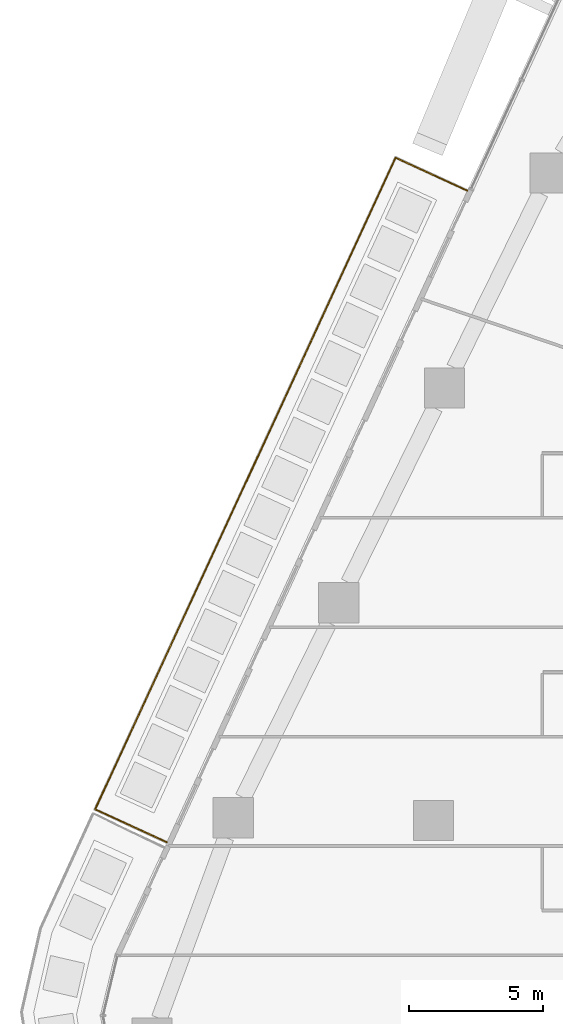
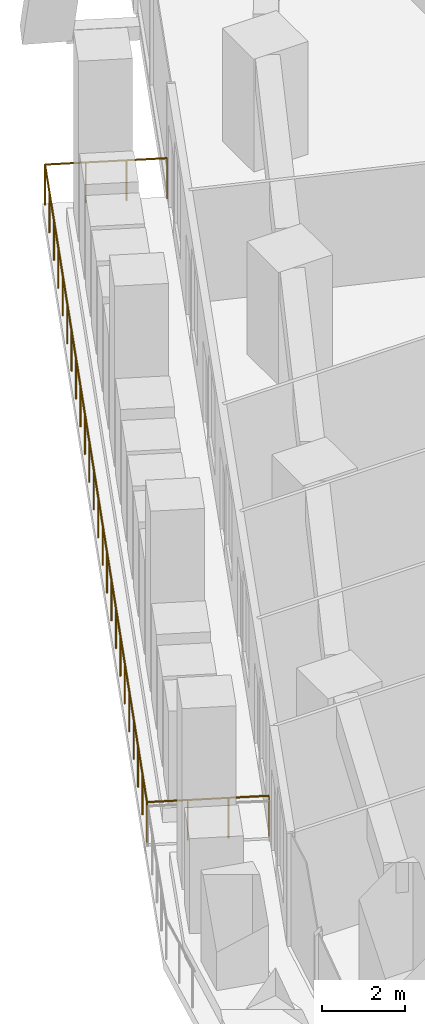
# One storey, part 25 of 27: 1 railing.
"""IFC4 building model written with IfcOpenShell, lengths in metres."""

from ifc_helpers import new_model, si_unit, direction, frame, origin, origin_2d, place, context, subcontext, project, spatial, circle, extrude, material, type_object, element, save


model = new_model("IFC4")

# Units and contexts
model_context = context("Model", 3, precision=1e-05, world=origin(), true_north=direction((0.0, 1.0)))
body_context = subcontext(model_context, "Body", "Model", "MODEL_VIEW")
ifc_project = project(units=[si_unit("LENGTHUNIT", "METRE"), si_unit("AREAUNIT", "SQUARE_METRE"), si_unit("VOLUMEUNIT", "CUBIC_METRE"), si_unit("PLANEANGLEUNIT", "RADIAN"), si_unit("MASSUNIT", "GRAM", prefix="KILO")], contexts=[model_context])

# Site, building, storey
site_placement = place(None, origin())
site = spatial("IfcSite", under=ifc_project, at=site_placement, CompositionType="ELEMENT")
building_placement = place(site_placement, origin())
building = spatial("IfcBuilding", under=site, at=building_placement, Name="Dongbaek Canopy Tower", CompositionType="ELEMENT")
storey_placement = place(building_placement, frame((0.0, 0.0, 62.5)))
storey = spatial("IfcBuildingStorey", under=building, at=storey_placement, Name="L11", CompositionType="ELEMENT", Elevation=62.5)

# Railing
ifc_material = material(Name="Stainless steel", Category="steel")
railing_type = type_object("IfcRailingType", Name="Balcony balustrade 1200", PredefinedType="BALUSTRADE", material=ifc_material)
railing_placement = place(storey_placement, frame((-25.738037109375, 23.466064453125, 0.0)))
element("IfcRailing", 1, at=railing_placement, inside=storey, type_object=railing_type, Name="Balcony guard L11 3", PredefinedType="BALUSTRADE", context=body_context, shape_type="SweptSolid", body=[
    extrude(circle(Radius=0.02392578125, at=origin_2d()), frame((0.0, 0.0, 1.17578125), z_axis=(-0.90805172008, 0.418858059084, 0.0), x_axis=(-0.418858059084, -0.90805172008, 0.0)), (0.0, 0.0, 1.0), 2.93994140625),
    extrude(circle(Radius=0.02392578125, at=origin_2d()), frame((-2.669677734375, 1.2314453125, 1.17578125), z_axis=(-0.418811507548, -0.908073191513, 0.0), x_axis=(0.908073191513, -0.418811507548, 0.0)), (0.0, 0.0, 1.0), 26.7392578125),
    extrude(circle(Radius=0.02392578125, at=origin_2d()), frame((-13.868408203125, -23.0498046875, 1.17578125), z_axis=(0.90805172008, -0.418858059084, 0.0), x_axis=(0.418858059084, 0.90805172008, 0.0)), (0.0, 0.0, 1.0), 2.93994140625),
    extrude(circle(Radius=0.02099609375, at=origin_2d()), origin(), (0.0, 0.0, 1.0), 1.15185546875),
    extrude(circle(Radius=0.02099609375, at=origin_2d()), frame((-0.889892578125, 0.410400390625, 0.0)), (0.0, 0.0, 1.0), 1.15185546875),
    extrude(circle(Radius=0.02099609375, at=origin_2d()), frame((-1.77978515625, 0.821044921875, 0.0)), (0.0, 0.0, 1.0), 1.15185546875),
    extrude(circle(Radius=0.02099609375, at=origin_2d()), frame((-2.669677734375, 1.2314453125, 0.0)), (0.0, 0.0, 1.0), 1.15185546875),
    extrude(circle(Radius=0.02099609375, at=origin_2d()), frame((-3.156494140625, 0.17578125, 0.0)), (0.0, 0.0, 1.0), 1.15185546875),
    extrude(circle(Radius=0.02099609375, at=origin_2d()), frame((-3.6435546875, -0.8798828125, 0.0)), (0.0, 0.0, 1.0), 1.15185546875),
    extrude(circle(Radius=0.02099609375, at=origin_2d()), frame((-4.13037109375, -1.935791015625, 0.0)), (0.0, 0.0, 1.0), 1.15185546875),
    extrude(circle(Radius=0.02099609375, at=origin_2d()), frame((-4.6171875, -2.991455078125, 0.0)), (0.0, 0.0, 1.0), 1.15185546875),
    extrude(circle(Radius=0.02099609375, at=origin_2d()), frame((-5.104248046875, -4.047119140625, 0.0)), (0.0, 0.0, 1.0), 1.15185546875),
    extrude(circle(Radius=0.02099609375, at=origin_2d()), frame((-5.591064453125, -5.102783203125, 0.0)), (0.0, 0.0, 1.0), 1.15185546875),
    extrude(circle(Radius=0.02099609375, at=origin_2d()), frame((-6.077880859375, -6.158447265625, 0.0)), (0.0, 0.0, 1.0), 1.15185546875),
    extrude(circle(Radius=0.02099609375, at=origin_2d()), frame((-6.56494140625, -7.214111328125, 0.0)), (0.0, 0.0, 1.0), 1.15185546875),
    extrude(circle(Radius=0.02099609375, at=origin_2d()), frame((-7.0517578125, -8.27001953125, 0.0)), (0.0, 0.0, 1.0), 1.15185546875),
    extrude(circle(Radius=0.02099609375, at=origin_2d()), frame((-7.53857421875, -9.32568359375, 0.0)), (0.0, 0.0, 1.0), 1.15185546875),
    extrude(circle(Radius=0.02099609375, at=origin_2d()), frame((-8.025634765625, -10.38134765625, 0.0)), (0.0, 0.0, 1.0), 1.15185546875),
    extrude(circle(Radius=0.02099609375, at=origin_2d()), frame((-8.512451171875, -11.43701171875, 0.0)), (0.0, 0.0, 1.0), 1.15185546875),
    extrude(circle(Radius=0.02099609375, at=origin_2d()), frame((-8.99951171875, -12.49267578125, 0.0)), (0.0, 0.0, 1.0), 1.15185546875),
    extrude(circle(Radius=0.02099609375, at=origin_2d()), frame((-9.486328125, -13.54833984375, 0.0)), (0.0, 0.0, 1.0), 1.15185546875),
    extrude(circle(Radius=0.02099609375, at=origin_2d()), frame((-9.97314453125, -14.604248046875, 0.0)), (0.0, 0.0, 1.0), 1.15185546875),
    extrude(circle(Radius=0.02099609375, at=origin_2d()), frame((-10.460205078125, -15.659912109375, 0.0)), (0.0, 0.0, 1.0), 1.15185546875),
    extrude(circle(Radius=0.02099609375, at=origin_2d()), frame((-10.947021484375, -16.715576171875, 0.0)), (0.0, 0.0, 1.0), 1.15185546875),
    extrude(circle(Radius=0.02099609375, at=origin_2d()), frame((-11.433837890625, -17.771240234375, 0.0)), (0.0, 0.0, 1.0), 1.15185546875),
    extrude(circle(Radius=0.02099609375, at=origin_2d()), frame((-11.9208984375, -18.826904296875, 0.0)), (0.0, 0.0, 1.0), 1.15185546875),
    extrude(circle(Radius=0.02099609375, at=origin_2d()), frame((-12.40771484375, -19.882568359375, 0.0)), (0.0, 0.0, 1.0), 1.15185546875),
    extrude(circle(Radius=0.02099609375, at=origin_2d()), frame((-12.89453125, -20.9384765625, 0.0)), (0.0, 0.0, 1.0), 1.15185546875),
    extrude(circle(Radius=0.02099609375, at=origin_2d()), frame((-13.381591796875, -21.994140625, 0.0)), (0.0, 0.0, 1.0), 1.15185546875),
    extrude(circle(Radius=0.02099609375, at=origin_2d()), frame((-13.868408203125, -23.0498046875, 0.0)), (0.0, 0.0, 1.0), 1.15185546875),
    extrude(circle(Radius=0.02099609375, at=origin_2d()), frame((-12.978515625, -23.460205078125, 0.0)), (0.0, 0.0, 1.0), 1.15185546875),
    extrude(circle(Radius=0.02099609375, at=origin_2d()), frame((-12.088623046875, -23.870849609375, 0.0)), (0.0, 0.0, 1.0), 1.15185546875),
    extrude(circle(Radius=0.02099609375, at=origin_2d()), frame((-11.19873046875, -24.28125, 0.0)), (0.0, 0.0, 1.0), 1.15185546875),
])

save(model, "model.ifc")
